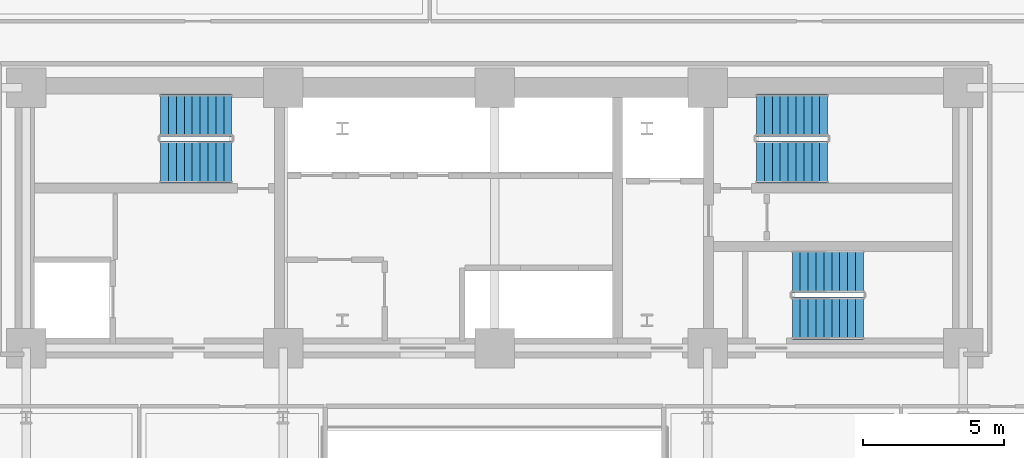
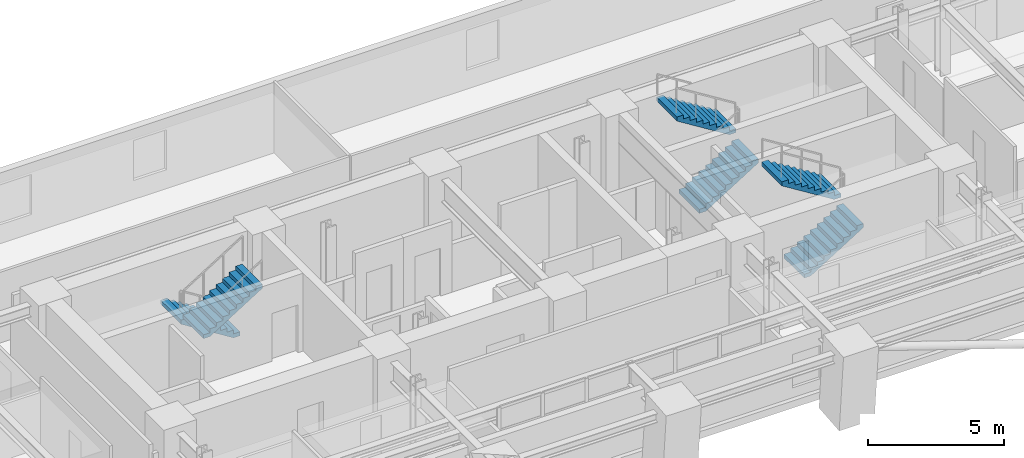
# One storey, part 10 of 15: 6 stair flights, 3 elements without a shape of their own.
"""IFC4 building model written with IfcOpenShell, lengths in metres."""

from ifc_helpers import new_model, si_unit, direction, frame, origin, place, context, subcontext, project, spatial, polyline, outline, extrude, material, layer, layer_set, type_object, element, aggregate, save


model = new_model("IFC4")

# Units and contexts
model_context = context("Model", 3, precision=1e-05, world=origin(), true_north=direction((0.0, 1.0)))
body_context = subcontext(model_context, "Body", "Model", "MODEL_VIEW")
ifc_project = project(units=[si_unit("LENGTHUNIT", "METRE"), si_unit("AREAUNIT", "SQUARE_METRE"), si_unit("VOLUMEUNIT", "CUBIC_METRE"), si_unit("PLANEANGLEUNIT", "RADIAN"), si_unit("MASSUNIT", "GRAM", prefix="KILO")], contexts=[model_context])

# Site, building, storey
site_placement = place(None, origin())
site = spatial("IfcSite", under=ifc_project, at=site_placement, CompositionType="ELEMENT")
building_placement = place(site_placement, origin())
building = spatial("IfcBuilding", under=site, at=building_placement, Name="Zarnavel Station Tower", CompositionType="ELEMENT")
storey_placement = place(building_placement, frame((0.0, 0.0, 71.0)))
storey = spatial("IfcBuildingStorey", under=building, at=storey_placement, Name="L19", CompositionType="ELEMENT", Elevation=71.0)

# Stair, stair flights
ifc_material_1 = material(Name="Concrete C45/55", Category="concrete")
stair_type = type_object("IfcStairType", Name="ST_CORE_150", PredefinedType="HALF_TURN_STAIR", material=ifc_material_1)
stair_1_placement = place(storey_placement, origin())
stair_1 = element("IfcStair", 1, at=stair_1_placement, inside=storey, type_object=stair_type, Name="L19 Core Exit Stair ST1", PredefinedType="HALF_TURN_STAIR")
ifc_material_2 = material(Name="Concrete C45/55", Category="concrete")
ifc_layer = layer(ifc_material_2, 0.179931640625)
ifc_layer_set = layer_set([ifc_layer], Name="ST_CORE_150_FLT")
stair_flight_type = type_object("IfcStairFlightType", Name="ST_CORE_150_FLT", PredefinedType="STRAIGHT", material=ifc_layer_set)
stair_flight_1_placement = place(storey_placement, frame((19.47998046875, 36.070068359375, 0.0), z_axis=(0.0, 0.0, 1.0), x_axis=(-1.0, 0.0, 0.0)))
stair_flight_1 = element("IfcStairFlight", 2, at=stair_flight_1_placement, type_object=stair_flight_type, Name="ST1 flight 1", NumberOfRisers=10, NumberOfTreads=9, PredefinedType="STRAIGHT", RiserHeight=0.175, TreadLength=0.28, context=body_context, shape_type="SweptSolid", body=[
    extrude(outline(polyline([(0.0, 0.0), (0.0, 0.175048828125), (0.280029296875, 0.175048828125), (0.280029296875, 0.35009765625), (0.56005859375, 0.35009765625), (0.56005859375, 0.52490234375), (0.840087890625, 0.52490234375), (0.840087890625, 0.699951171875), (1.1201171875, 0.699951171875), (1.1201171875, 0.875), (1.39990234375, 0.875), (1.39990234375, 1.050048828125), (1.679931640625, 1.050048828125), (1.679931640625, 1.22509765625), (1.9599609375, 1.22509765625), (1.9599609375, 1.39990234375), (2.239990234375, 1.39990234375), (2.239990234375, 1.574951171875), (2.52001953125, 1.574951171875), (2.52001953125, 1.75), (2.52001953125, 1.398193359375), (0.28271484375, 0.0), (0.0, 0.0)])), frame((0.0, 0.75, 0.0), z_axis=(0.0, -1.0, 0.0), x_axis=(1.0, 0.0, 0.0)), (0.0, 0.0, 1.0), 1.5),
])
stair_flight_2_placement = place(storey_placement, frame((16.9599609375, 34.409912109375, 1.75), z_axis=(0.0, 0.0, 1.0), x_axis=(1.0, 0.0, 0.0)))
stair_flight_2 = element("IfcStairFlight", 3, at=stair_flight_2_placement, type_object=stair_flight_type, Name="ST1 flight 2", NumberOfRisers=10, NumberOfTreads=9, PredefinedType="STRAIGHT", RiserHeight=0.175, TreadLength=0.28, context=body_context, shape_type="SweptSolid", body=[
    extrude(outline(polyline([(0.0, 0.0), (0.0, 0.175048828125), (0.280029296875, 0.175048828125), (0.280029296875, 0.35009765625), (0.56005859375, 0.35009765625), (0.56005859375, 0.52490234375), (0.840087890625, 0.52490234375), (0.840087890625, 0.699951171875), (1.1201171875, 0.699951171875), (1.1201171875, 0.875), (1.39990234375, 0.875), (1.39990234375, 1.050048828125), (1.679931640625, 1.050048828125), (1.679931640625, 1.22509765625), (1.9599609375, 1.22509765625), (1.9599609375, 1.39990234375), (2.239990234375, 1.39990234375), (2.239990234375, 1.574951171875), (2.52001953125, 1.574951171875), (2.52001953125, 1.75), (2.52001953125, 1.398193359375), (0.28271484375, 0.0), (0.0, 0.0)])), frame((0.0, 0.75, 0.0), z_axis=(0.0, -1.0, 0.0), x_axis=(1.0, 0.0, 0.0)), (0.0, 0.0, 1.0), 1.5),
])
aggregate(stair_1, [stair_flight_1, stair_flight_2])

stair_2_placement = place(storey_placement, origin())
stair_2 = element("IfcStair", 4, at=stair_2_placement, inside=storey, type_object=stair_type, Name="L19 Core Exit Stair ST2", PredefinedType="HALF_TURN_STAIR")
stair_flight_3_placement = place(storey_placement, frame((38.080078125, 34.409912109375, 0.0), z_axis=(0.0, 0.0, 1.0), x_axis=(1.0, 0.0, 0.0)))
stair_flight_3 = element("IfcStairFlight", 5, at=stair_flight_3_placement, type_object=stair_flight_type, Name="ST2 flight 1", NumberOfRisers=10, NumberOfTreads=9, PredefinedType="STRAIGHT", RiserHeight=0.175, TreadLength=0.28, context=body_context, shape_type="SweptSolid", body=[
    extrude(outline(polyline([(0.0, 0.0), (0.0, 0.175048828125), (0.280029296875, 0.175048828125), (0.280029296875, 0.35009765625), (0.56005859375, 0.35009765625), (0.56005859375, 0.52490234375), (0.840087890625, 0.52490234375), (0.840087890625, 0.699951171875), (1.1201171875, 0.699951171875), (1.1201171875, 0.875), (1.39990234375, 0.875), (1.39990234375, 1.050048828125), (1.679931640625, 1.050048828125), (1.679931640625, 1.22509765625), (1.9599609375, 1.22509765625), (1.9599609375, 1.39990234375), (2.239990234375, 1.39990234375), (2.239990234375, 1.574951171875), (2.52001953125, 1.574951171875), (2.52001953125, 1.75), (2.52001953125, 1.398193359375), (0.28271484375, 0.0), (0.0, 0.0)])), frame((0.0, 0.75, 0.0), z_axis=(0.0, -1.0, 0.0), x_axis=(1.0, 0.0, 0.0)), (0.0, 0.0, 1.0), 1.5),
])
stair_flight_4_placement = place(storey_placement, frame((40.60009765625, 36.070068359375, 1.75), z_axis=(0.0, 0.0, 1.0), x_axis=(-1.0, 0.0, 0.0)))
stair_flight_4 = element("IfcStairFlight", 6, at=stair_flight_4_placement, type_object=stair_flight_type, Name="ST2 flight 2", NumberOfRisers=10, NumberOfTreads=9, PredefinedType="STRAIGHT", RiserHeight=0.175, TreadLength=0.28, context=body_context, shape_type="SweptSolid", body=[
    extrude(outline(polyline([(0.0, 0.0), (0.0, 0.175048828125), (0.280029296875, 0.175048828125), (0.280029296875, 0.35009765625), (0.56005859375, 0.35009765625), (0.56005859375, 0.52490234375), (0.840087890625, 0.52490234375), (0.840087890625, 0.699951171875), (1.1201171875, 0.699951171875), (1.1201171875, 0.875), (1.39990234375, 0.875), (1.39990234375, 1.050048828125), (1.679931640625, 1.050048828125), (1.679931640625, 1.22509765625), (1.9599609375, 1.22509765625), (1.9599609375, 1.39990234375), (2.239990234375, 1.39990234375), (2.239990234375, 1.574951171875), (2.52001953125, 1.574951171875), (2.52001953125, 1.75), (2.52001953125, 1.398193359375), (0.28271484375, 0.0), (0.0, 0.0)])), frame((0.0, 0.75, 0.0), z_axis=(0.0, -1.0, 0.0), x_axis=(1.0, 0.0, 0.0)), (0.0, 0.0, 1.0), 1.5),
])
aggregate(stair_2, [stair_flight_3, stair_flight_4])

stair_3_placement = place(storey_placement, origin())
stair_3 = element("IfcStair", 7, at=stair_3_placement, inside=storey, type_object=stair_type, Name="L19 Core Exit Stair ST3", PredefinedType="HALF_TURN_STAIR")
stair_flight_5_placement = place(storey_placement, frame((39.35009765625, 28.8701171875, 0.0), z_axis=(0.0, 0.0, 1.0), x_axis=(1.0, 0.0, 0.0)))
stair_flight_5 = element("IfcStairFlight", 8, at=stair_flight_5_placement, type_object=stair_flight_type, Name="ST3 flight 1", NumberOfRisers=10, NumberOfTreads=9, PredefinedType="STRAIGHT", RiserHeight=0.175, TreadLength=0.28, context=body_context, shape_type="SweptSolid", body=[
    extrude(outline(polyline([(0.0, 0.0), (0.0, 0.175048828125), (0.280029296875, 0.175048828125), (0.280029296875, 0.35009765625), (0.56005859375, 0.35009765625), (0.56005859375, 0.52490234375), (0.840087890625, 0.52490234375), (0.840087890625, 0.699951171875), (1.1201171875, 0.699951171875), (1.1201171875, 0.875), (1.39990234375, 0.875), (1.39990234375, 1.050048828125), (1.679931640625, 1.050048828125), (1.679931640625, 1.22509765625), (1.9599609375, 1.22509765625), (1.9599609375, 1.39990234375), (2.239990234375, 1.39990234375), (2.239990234375, 1.574951171875), (2.52001953125, 1.574951171875), (2.52001953125, 1.75), (2.52001953125, 1.398193359375), (0.28271484375, 0.0), (0.0, 0.0)])), frame((0.0, 0.75, 0.0), z_axis=(0.0, -1.0, 0.0), x_axis=(1.0, 0.0, 0.0)), (0.0, 0.0, 1.0), 1.5),
])
stair_flight_6_placement = place(storey_placement, frame((41.8701171875, 30.530029296875, 1.75), z_axis=(0.0, 0.0, 1.0), x_axis=(-1.0, 0.0, 0.0)))
stair_flight_6 = element("IfcStairFlight", 9, at=stair_flight_6_placement, type_object=stair_flight_type, Name="ST3 flight 2", NumberOfRisers=10, NumberOfTreads=9, PredefinedType="STRAIGHT", RiserHeight=0.175, TreadLength=0.28, context=body_context, shape_type="SweptSolid", body=[
    extrude(outline(polyline([(0.0, 0.0), (0.0, 0.175048828125), (0.280029296875, 0.175048828125), (0.280029296875, 0.35009765625), (0.56005859375, 0.35009765625), (0.56005859375, 0.52490234375), (0.840087890625, 0.52490234375), (0.840087890625, 0.699951171875), (1.1201171875, 0.699951171875), (1.1201171875, 0.875), (1.39990234375, 0.875), (1.39990234375, 1.050048828125), (1.679931640625, 1.050048828125), (1.679931640625, 1.22509765625), (1.9599609375, 1.22509765625), (1.9599609375, 1.39990234375), (2.239990234375, 1.39990234375), (2.239990234375, 1.574951171875), (2.52001953125, 1.574951171875), (2.52001953125, 1.75), (2.52001953125, 1.398193359375), (0.28271484375, 0.0), (0.0, 0.0)])), frame((0.0, 0.75, 0.0), z_axis=(0.0, -1.0, 0.0), x_axis=(1.0, 0.0, 0.0)), (0.0, 0.0, 1.0), 1.5),
])
aggregate(stair_3, [stair_flight_5, stair_flight_6])

save(model, "model.ifc")
